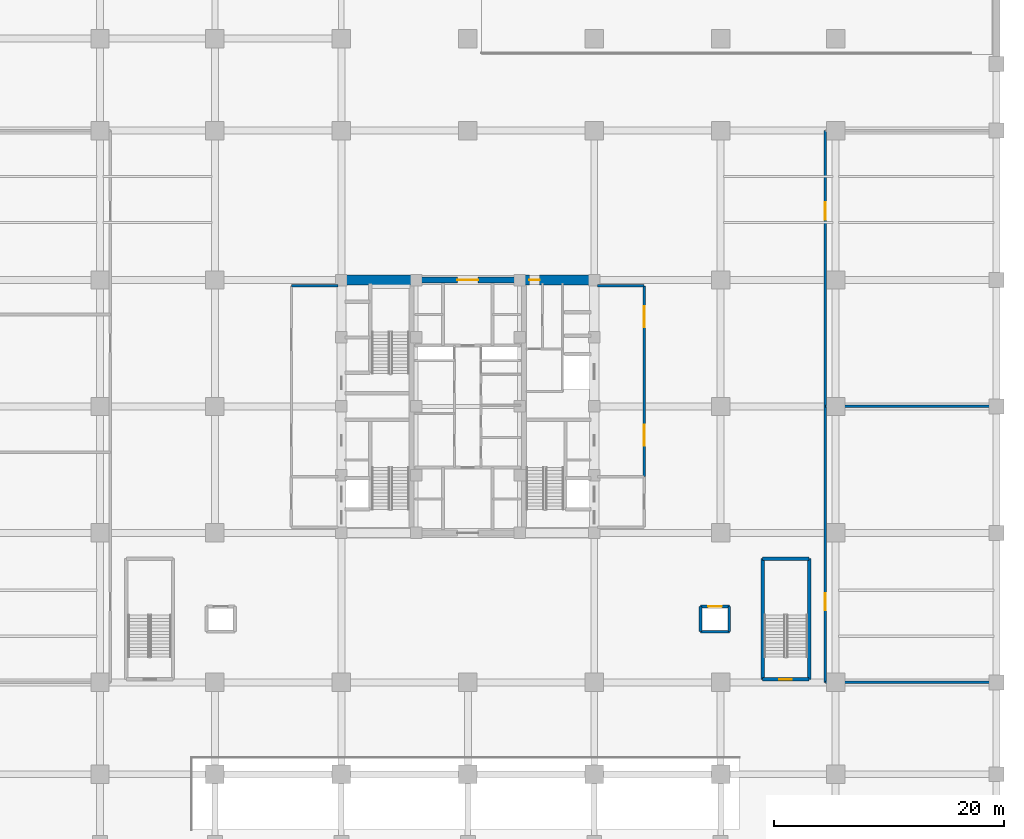
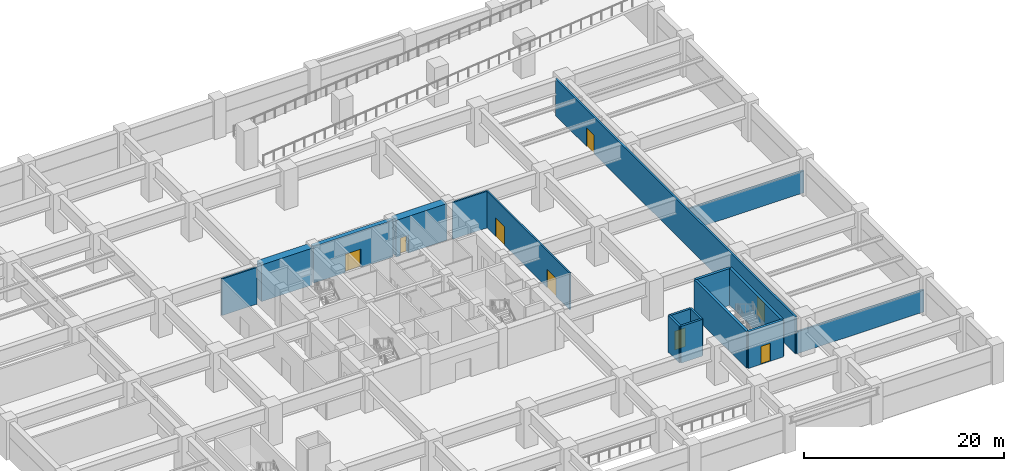
# One storey, part 7 of 13: 17 walls, 8 doors, 8 openings.
"""IFC4 building model written with IfcOpenShell, lengths in metres."""

from ifc_helpers import new_model, si_unit, direction, frame, frame_2d, origin, place, context, subcontext, project, spatial, rectangle, extrude, source, transform, mapped, material, layer, layer_set, type_object, element, fill, save


model = new_model("IFC4")

# Units and contexts
model_context = context("Model", 3, precision=1e-05, world=origin(), true_north=direction((0.0, 1.0)))
body_context = subcontext(model_context, "Body", "Model", "MODEL_VIEW")
ifc_project = project(units=[si_unit("LENGTHUNIT", "METRE"), si_unit("AREAUNIT", "SQUARE_METRE"), si_unit("VOLUMEUNIT", "CUBIC_METRE"), si_unit("PLANEANGLEUNIT", "RADIAN"), si_unit("MASSUNIT", "GRAM", prefix="KILO")], contexts=[model_context])

# Site, building, storey
site_placement = place(None, origin())
site = spatial("IfcSite", under=ifc_project, at=site_placement, CompositionType="ELEMENT")
building_placement = place(site_placement, origin())
building = spatial("IfcBuilding", under=site, at=building_placement, Name="Khorayat Bourse Tower", CompositionType="ELEMENT")
storey_placement = place(building_placement, frame((0.0, 0.0, -4.800048828125)))
storey = spatial("IfcBuildingStorey", under=building, at=storey_placement, Name="B01", CompositionType="ELEMENT", Elevation=-4.800048828125)

# Wall
ifc_material_1 = material(Name="Concrete C72/90", Category="concrete")
ifc_layer_1 = layer(ifc_material_1, 0.89990234375)
ifc_layer_set_1 = layer_set([ifc_layer_1], Name="Concrete C72/90")
wall_type_1 = type_object("IfcWallType", Name="WAL-CORE-900", PredefinedType="SHEAR", material=ifc_layer_set_1)
shared_shape_1 = source(origin(), body_context, "Body", "SweptSolid", [
    extrude(rectangle(XDim=5.849853515625, YDim=0.89990234375, at=frame_2d((2.9248046875, 0.0))), origin(), (0.0, 0.0, 1.0), 4.47998046875),
])
wall_1_placement = place(storey_placement, frame((-10.699951171875, 11.0, 0.0), z_axis=(0.0, 0.0, 1.0), x_axis=(1.0, 0.0, 0.0)))
element("IfcWall", 1, at=wall_1_placement, inside=storey, type_object=wall_type_1, Name="B01 Core Shear Wall PIER-WN", PredefinedType="SHEAR", context=body_context, shape_type="MappedRepresentation", body=[
    mapped(shared_shape_1, transform((0.0, 0.0, 0.0), scale=1.0)),
])

# Wall, opening, door
wall_2_placement = place(storey_placement, frame((4.85009765625, 11.0, 0.0), z_axis=(0.0, 0.0, 1.0), x_axis=(1.0, 0.0, 0.0)))
wall_2 = element("IfcWall", 2, at=wall_2_placement, inside=storey, type_object=wall_type_1, Name="B01 Core Shear Wall PIER-EN", PredefinedType="SHEAR", context=body_context, shape_type="MappedRepresentation", body=[
    mapped(shared_shape_1, transform((0.0, 0.0, 0.0), scale=1.0)),
])
shared_shape_2 = source(origin(), body_context, "Body", "SweptSolid", [
    extrude(rectangle(XDim=0.89990234375, YDim=2.14990234375, at=frame_2d((0.449951171875, 1.074951171875))), frame((0.0, 0.4599609375, 0.0), z_axis=(0.0, -1.0, 0.0), x_axis=(1.0, 0.0, 0.0)), (0.0, 0.0, 1.0), 0.919921875),
])
opening_1_placement = place(wall_2_placement, frame((0.5, 0.0, 0.0)))
opening_1 = element("IfcOpeningElement", 3, at=opening_1_placement, cuts=wall_2, Name="Opening DI-06", PredefinedType="OPENING", context=body_context, shape_type="MappedRepresentation", body=[
    mapped(shared_shape_2, transform((0.0, 0.0, 0.0), scale=1.0)),
])
ifc_material_2 = material(Name="Moisture-resistant laminate washroom door")
door_type_1 = type_object("IfcDoorType", Name="DR-INT-WC-900", OperationType="NOTDEFINED", PredefinedType="DOOR", material=ifc_material_2)
shared_shape_3 = source(origin(), body_context, "Body", "SweptSolid", [
    extrude(rectangle(XDim=0.89990234375, YDim=2.14990234375, at=frame_2d((0.449951171875, 1.074951171875))), frame((0.0, 0.02490234375, 0.0), z_axis=(0.0, -1.0, 0.0), x_axis=(1.0, 0.0, 0.0)), (0.0, 0.0, 1.0), 0.050048828125),
])
door_1_placement = place(opening_1_placement, origin())
door_1 = element("IfcDoor", 4, at=door_1_placement, inside=storey, type_object=door_type_1, Name="B01 Core Washroom Lobby Door", OperationType="SINGLE_SWING_LEFT", OverallHeight=2.14990234375, OverallWidth=0.89990234375, PredefinedType="DOOR", context=body_context, shape_type="MappedRepresentation", body=[
    mapped(shared_shape_3, transform((0.0, 0.0, 0.0), scale=1.0)),
])
fill(opening_1, door_1)

ifc_material_3 = material(Name="Concrete C52/65", Category="concrete")
ifc_layer_2 = layer(ifc_material_3, 0.5)
ifc_layer_set_2 = layer_set([ifc_layer_2], Name="Concrete C52/65")
wall_type_2 = type_object("IfcWallType", Name="WAL-CORE-500", PredefinedType="SHEAR", material=ifc_layer_set_2)
shared_shape_4 = source(origin(), body_context, "Body", "SweptSolid", [
    extrude(rectangle(XDim=9.2001953125, YDim=0.5, at=frame_2d((4.60009765625, 0.0))), origin(), (0.0, 0.0, 1.0), 4.47998046875),
])
wall_3_placement = place(storey_placement, frame((-4.60009765625, 11.0, 0.0), z_axis=(0.0, 0.0, 1.0), x_axis=(1.0, 0.0, 0.0)))
wall_3 = element("IfcWall", 5, at=wall_3_placement, inside=storey, type_object=wall_type_2, Name="B01 Core Shear Wall CORE-N", PredefinedType="SHEAR", context=body_context, shape_type="MappedRepresentation", body=[
    mapped(shared_shape_4, transform((0.0, 0.0, 0.0), scale=1.0)),
])
shared_shape_5 = source(origin(), body_context, "Body", "SweptSolid", [
    extrude(rectangle(XDim=1.800048828125, YDim=2.25, at=frame_2d((0.89990234375, 1.125))), frame((0.0, 0.260009765625, 0.0), z_axis=(0.0, -1.0, 0.0), x_axis=(1.0, 0.0, 0.0)), (0.0, 0.0, 1.0), 0.52001953125),
])
opening_2_placement = place(wall_3_placement, frame((3.699951171875, 0.0, 0.0)))
opening_2 = element("IfcOpeningElement", 6, at=opening_2_placement, cuts=wall_3, Name="Opening DI-03", PredefinedType="OPENING", context=body_context, shape_type="MappedRepresentation", body=[
    mapped(shared_shape_5, transform((0.0, 0.0, 0.0), scale=1.0)),
])
ifc_material_4 = material(Name="Fire-rated hardwood vision-panel double leaf", Category="wood")
door_type_2 = type_object("IfcDoorType", Name="DR-INT-CORR-1800", OperationType="NOTDEFINED", PredefinedType="DOOR", material=ifc_material_4)
shared_shape_6 = source(origin(), body_context, "Body", "SweptSolid", [
    extrude(rectangle(XDim=1.800048828125, YDim=2.25, at=frame_2d((0.89990234375, 1.125))), frame((0.0, 0.02490234375, 0.0), z_axis=(0.0, -1.0, 0.0), x_axis=(1.0, 0.0, 0.0)), (0.0, 0.0, 1.0), 0.050048828125),
])
door_2_placement = place(opening_2_placement, origin())
door_2 = element("IfcDoor", 7, at=door_2_placement, inside=storey, type_object=door_type_2, Name="B01 Mid-Rise Lift Lobby Door", OperationType="SINGLE_SWING_RIGHT", OverallHeight=2.25, OverallWidth=1.800048828125, PredefinedType="DOOR", context=body_context, shape_type="MappedRepresentation", body=[
    mapped(shared_shape_6, transform((0.0, 0.0, 0.0), scale=1.0)),
])
fill(opening_2, door_2)

# Walls
ifc_material_5 = material(Name="Gypsum plasterboard acoustic stud wall")
ifc_layer_3 = layer(ifc_material_5, 0.179931640625)
ifc_layer_set_3 = layer_set([ifc_layer_3], Name="Gypsum plasterboard acoustic stud wall")
wall_type_3 = type_object("IfcWallType", Name="WAL-PART-CORR-180", PredefinedType="PARTITIONING", material=ifc_layer_set_3)
shared_shape_7 = source(origin(), body_context, "Body", "SweptSolid", [
    extrude(rectangle(XDim=4.050048828125, YDim=0.179931640625, at=frame_2d((2.02490234375, 0.0))), origin(), (0.0, 0.0, 1.0), 4.47998046875),
])
for number, where, z_axis, x_axis, name in (
    (8, (-15.35009765625, 10.5, 0.0), (0.0, 0.0, 1.0), (1.0, 0.0, 0.0), "B01 Partition WAL-B01-WLOB-N"),
    (9, (11.300048828125, 10.5, 0.0), (0.0, 0.0, 1.0), (1.0, 0.0, 0.0), "B01 Partition WAL-B01-ELOB-N"),
):
    element("IfcWall", number, at=place(storey_placement, frame(where, z_axis=z_axis, x_axis=x_axis)), inside=storey, type_object=wall_type_3, Name=name, PredefinedType="PARTITIONING", context=body_context, shape_type="MappedRepresentation", body=[
        mapped(shared_shape_7, transform((0.0, 0.0, 0.0), scale=1.0)),
    ])

# Wall, openings, doors
shared_shape_8 = source(origin(), body_context, "Body", "SweptSolid", [
    extrude(rectangle(XDim=16.60009765625, YDim=0.179931640625, at=frame_2d((8.300048828125, 0.0))), origin(), (0.0, 0.0, 1.0), 4.47998046875),
])
wall_4_placement = place(storey_placement, frame((15.35009765625, -6.10009765625, 0.0), z_axis=(0.0, 0.0, 1.0), x_axis=(0.0, 1.0, 0.0)))
wall_4 = element("IfcWall", 10, at=wall_4_placement, inside=storey, type_object=wall_type_3, Name="B01 Partition WAL-B01-ELOB-E", PredefinedType="PARTITIONING", context=body_context, shape_type="MappedRepresentation", body=[
    mapped(shared_shape_8, transform((0.0, 0.0, 0.0), scale=1.0)),
])
shared_shape_9 = source(origin(), body_context, "Body", "SweptSolid", [
    extrude(rectangle(XDim=1.800048828125, YDim=2.25, at=frame_2d((0.89990234375, 1.125))), frame((0.0, 0.099853515625, 0.0), z_axis=(0.0, -1.0, 0.0), x_axis=(1.0, 0.0, 0.0)), (0.0, 0.0, 1.0), 0.199951171875),
])
opening_3_placement = place(wall_4_placement, frame((2.699951171875, 0.0, 0.0)))
opening_3 = element("IfcOpeningElement", 11, at=opening_3_placement, cuts=wall_4, Name="Opening DI-03", PredefinedType="OPENING", context=body_context, shape_type="MappedRepresentation", body=[
    mapped(shared_shape_9, transform((0.0, 0.0, 0.0), scale=1.0)),
])
opening_4_placement = place(wall_4_placement, frame((13.0, 0.0, 0.0)))
opening_4 = element("IfcOpeningElement", 12, at=opening_4_placement, cuts=wall_4, Name="Opening DI-03", PredefinedType="OPENING", context=body_context, shape_type="MappedRepresentation", body=[
    mapped(shared_shape_9, transform((0.0, 0.0, 0.0), scale=1.0)),
])
door_3_placement = place(opening_3_placement, origin())
door_3 = element("IfcDoor", 13, at=door_3_placement, inside=storey, type_object=door_type_2, Name="B01 East Core Lobby South Door", OperationType="SINGLE_SWING_RIGHT", OverallHeight=2.25, OverallWidth=1.800048828125, PredefinedType="DOOR", context=body_context, shape_type="MappedRepresentation", body=[
    mapped(shared_shape_6, transform((0.0, 0.0, 0.0), scale=1.0)),
])
fill(opening_3, door_3)
door_4_placement = place(opening_4_placement, origin())
door_4 = element("IfcDoor", 14, at=door_4_placement, inside=storey, type_object=door_type_2, Name="B01 East Core Lobby North Door", OperationType="SINGLE_SWING_LEFT", OverallHeight=2.25, OverallWidth=1.800048828125, PredefinedType="DOOR", context=body_context, shape_type="MappedRepresentation", body=[
    mapped(shared_shape_6, transform((0.0, 0.0, 0.0), scale=1.0)),
])
fill(opening_4, door_4)

# Wall, opening, door
ifc_material_6 = material(Name="Concrete C50/60", Category="concrete")
ifc_layer_4 = layer(ifc_material_6, 0.300048828125)
ifc_layer_set_4 = layer_set([ifc_layer_4], Name="Concrete C50/60")
wall_type_4 = type_object("IfcWallType", Name="WAL-SHAFT-300", PredefinedType="SHEAR", material=ifc_layer_set_4)
shared_shape_10 = source(origin(), body_context, "Body", "SweptSolid", [
    extrude(rectangle(XDim=4.050048828125, YDim=0.300048828125, at=frame_2d((2.02490234375, 0.0))), origin(), (0.0, 0.0, 1.0), 4.47998046875),
])
wall_5_placement = place(storey_placement, frame((25.64990234375, -23.75, 0.0), z_axis=(0.0, 0.0, 1.0), x_axis=(1.0, 0.0, 0.0)))
wall_5 = element("IfcWall", 15, at=wall_5_placement, inside=storey, type_object=wall_type_4, Name="B01 Partition WAL-B01-STP2-S", PredefinedType="SHEAR", context=body_context, shape_type="MappedRepresentation", body=[
    mapped(shared_shape_10, transform((0.0, 0.0, 0.0), scale=1.0)),
])
shared_shape_11 = source(origin(), body_context, "Body", "SweptSolid", [
    extrude(rectangle(XDim=1.10009765625, YDim=2.199951171875, at=frame_2d((0.550048828125, 1.10009765625))), frame((0.0, 0.159912109375, 0.0), z_axis=(0.0, -1.0, 0.0), x_axis=(1.0, 0.0, 0.0)), (0.0, 0.0, 1.0), 0.320068359375),
])
opening_5_placement = place(wall_5_placement, frame((1.449951171875, 0.0, 0.0)))
opening_5 = element("IfcOpeningElement", 16, at=opening_5_placement, cuts=wall_5, Name="Opening DI-01", PredefinedType="OPENING", context=body_context, shape_type="MappedRepresentation", body=[
    mapped(shared_shape_11, transform((0.0, 0.0, 0.0), scale=1.0)),
])
ifc_material_7 = material(Name="Fire-rated steel acoustic leaf", Category="steel")
door_type_3 = type_object("IfcDoorType", Name="DR-INT-STAIR-1100", OperationType="NOTDEFINED", PredefinedType="DOOR", material=ifc_material_7)
shared_shape_12 = source(origin(), body_context, "Body", "SweptSolid", [
    extrude(rectangle(XDim=1.10009765625, YDim=2.199951171875, at=frame_2d((0.550048828125, 1.10009765625))), frame((0.0, 0.02490234375, 0.0), z_axis=(0.0, -1.0, 0.0), x_axis=(1.0, 0.0, 0.0)), (0.0, 0.0, 1.0), 0.050048828125),
])
door_5_placement = place(opening_5_placement, origin())
door_5 = element("IfcDoor", 17, at=door_5_placement, inside=storey, type_object=door_type_3, Name="B01 Podium Stair P2 Door", OperationType="SINGLE_SWING_LEFT", OverallHeight=2.199951171875, OverallWidth=1.10009765625, PredefinedType="DOOR", context=body_context, shape_type="MappedRepresentation", body=[
    mapped(shared_shape_12, transform((0.0, 0.0, 0.0), scale=1.0)),
])
fill(opening_5, door_5)

# Walls
wall_6_placement = place(storey_placement, frame((25.64990234375, -13.25, 0.0), z_axis=(0.0, 0.0, 1.0), x_axis=(1.0, 0.0, 0.0)))
element("IfcWall", 18, at=wall_6_placement, inside=storey, type_object=wall_type_4, Name="B01 Partition WAL-B01-STP2-N", PredefinedType="SHEAR", context=body_context, shape_type="MappedRepresentation", body=[
    mapped(shared_shape_10, transform((0.0, 0.0, 0.0), scale=1.0)),
])
shared_shape_13 = source(origin(), body_context, "Body", "SweptSolid", [
    extrude(rectangle(XDim=10.5, YDim=0.300048828125, at=frame_2d((5.25, 0.0))), origin(), (0.0, 0.0, 1.0), 4.47998046875),
])
for number, where, z_axis, x_axis, name in (
    (19, (25.64990234375, -23.75, 0.0), (0.0, 0.0, 1.0), (0.0, 1.0, 0.0), "B01 Partition WAL-B01-STP2-W"),
    (20, (29.699951171875, -23.75, 0.0), (0.0, 0.0, 1.0), (0.0, 1.0, 0.0), "B01 Partition WAL-B01-STP2-E"),
):
    element("IfcWall", number, at=place(storey_placement, frame(where, z_axis=z_axis, x_axis=x_axis)), inside=storey, type_object=wall_type_4, Name=name, PredefinedType="SHEAR", context=body_context, shape_type="MappedRepresentation", body=[
        mapped(shared_shape_13, transform((0.0, 0.0, 0.0), scale=1.0)),
    ])
shared_shape_14 = source(origin(), body_context, "Body", "SweptSolid", [
    extrude(rectangle(XDim=2.5, YDim=0.25, at=frame_2d((1.25, 0.0))), origin(), (0.0, 0.0, 1.0), 4.47998046875),
])
wall_7_placement = place(storey_placement, frame((20.25, -19.60009765625, 0.0), z_axis=(0.0, 0.0, 1.0), x_axis=(1.0, 0.0, 0.0)))
element("IfcWall", 21, at=wall_7_placement, inside=storey, type_object=wall_type_4, Name="B01 Partition WAL-B01-PLP2-S", PredefinedType="SHEAR", context=body_context, shape_type="MappedRepresentation", body=[
    mapped(shared_shape_14, transform((0.0, 0.0, 0.0), scale=1.0)),
])

# Wall, opening, door
wall_8_placement = place(storey_placement, frame((20.25, -17.39990234375, 0.0), z_axis=(0.0, 0.0, 1.0), x_axis=(1.0, 0.0, 0.0)))
wall_8 = element("IfcWall", 22, at=wall_8_placement, inside=storey, type_object=wall_type_4, Name="B01 Partition WAL-B01-PLP2-N", PredefinedType="SHEAR", context=body_context, shape_type="MappedRepresentation", body=[
    mapped(shared_shape_14, transform((0.0, 0.0, 0.0), scale=1.0)),
])
shared_shape_15 = source(origin(), body_context, "Body", "SweptSolid", [
    extrude(rectangle(XDim=1.199951171875, YDim=2.300048828125, at=frame_2d((0.60009765625, 1.14990234375))), frame((0.0, 0.135009765625, 0.0), z_axis=(0.0, -1.0, 0.0), x_axis=(1.0, 0.0, 0.0)), (0.0, 0.0, 1.0), 0.27001953125),
])
opening_6_placement = place(wall_8_placement, frame((0.64990234375, 0.0, 0.0)))
opening_6 = element("IfcOpeningElement", 23, at=opening_6_placement, cuts=wall_8, Name="Opening LD-01", PredefinedType="OPENING", context=body_context, shape_type="MappedRepresentation", body=[
    mapped(shared_shape_15, transform((0.0, 0.0, 0.0), scale=1.0)),
])
ifc_material_8 = material(Name="Brushed bronze stainless-steel sliding door", Category="steel")
door_type_4 = type_object("IfcDoorType", Name="DR-LIFT-PASS-1200", OperationType="NOTDEFINED", PredefinedType="DOOR", material=ifc_material_8)
shared_shape_16 = source(origin(), body_context, "Body", "SweptSolid", [
    extrude(rectangle(XDim=1.199951171875, YDim=2.300048828125, at=frame_2d((0.60009765625, 1.14990234375))), frame((0.0, 0.02490234375, 0.0), z_axis=(0.0, -1.0, 0.0), x_axis=(1.0, 0.0, 0.0)), (0.0, 0.0, 1.0), 0.050048828125),
])
door_6_placement = place(opening_6_placement, origin())
door_6 = element("IfcDoor", 24, at=door_6_placement, inside=storey, type_object=door_type_4, Name="B01 Lift PL-P2 Sliding Landing Door", OperationType="SLIDING_TO_LEFT", OverallHeight=2.300048828125, OverallWidth=1.199951171875, PredefinedType="DOOR", context=body_context, shape_type="MappedRepresentation", body=[
    mapped(shared_shape_16, transform((0.0, 0.0, 0.0), scale=1.0)),
])
fill(opening_6, door_6)

# Walls
shared_shape_17 = source(origin(), body_context, "Body", "SweptSolid", [
    extrude(rectangle(XDim=2.2001953125, YDim=0.25, at=frame_2d((1.10009765625, 0.0))), origin(), (0.0, 0.0, 1.0), 4.47998046875),
])
for number, where, z_axis, x_axis, name in (
    (25, (20.25, -19.60009765625, 0.0), (0.0, 0.0, 1.0), (0.0, 1.0, 0.0), "B01 Partition WAL-B01-PLP2-W"),
    (26, (22.75, -19.60009765625, 0.0), (0.0, 0.0, 1.0), (0.0, 1.0, 0.0), "B01 Partition WAL-B01-PLP2-E"),
):
    element("IfcWall", number, at=place(storey_placement, frame(where, z_axis=z_axis, x_axis=x_axis)), inside=storey, type_object=wall_type_4, Name=name, PredefinedType="SHEAR", context=body_context, shape_type="MappedRepresentation", body=[
        mapped(shared_shape_17, transform((0.0, 0.0, 0.0), scale=1.0)),
    ])

# Wall, openings, doors
ifc_material_9 = material(Name="Aerated concrete blockwork", Category="masonry")
ifc_layer_5 = layer(ifc_material_9, 0.219970703125)
ifc_layer_set_5 = layer_set([ifc_layer_5], Name="Aerated concrete blockwork")
wall_type_5 = type_object("IfcWallType", Name="WAL-PART-FF-220", PredefinedType="PARTITIONING", material=ifc_layer_set_5)
shared_shape_18 = source(origin(), body_context, "Body", "SweptSolid", [
    extrude(rectangle(XDim=48.0, YDim=0.219970703125, at=frame_2d((24.0, 0.0))), origin(), (0.0, 0.0, 1.0), 4.47998046875),
])
wall_9_placement = place(storey_placement, frame((31.10009765625, -24.0, 0.0), z_axis=(0.0, 0.0, 1.0), x_axis=(0.0, 1.0, 0.0)))
wall_9 = element("IfcWall", 27, at=wall_9_placement, inside=storey, type_object=wall_type_5, Name="B01 Partition WAL-B01-BE-W", PredefinedType="PARTITIONING", context=body_context, shape_type="MappedRepresentation", body=[
    mapped(shared_shape_18, transform((0.0, 0.0, 0.0), scale=1.0)),
])
shared_shape_19 = source(origin(), body_context, "Body", "SweptSolid", [
    extrude(rectangle(XDim=1.5, YDim=2.300048828125, at=frame_2d((0.75, 1.14990234375))), frame((0.0, 0.119873046875, 0.0), z_axis=(0.0, -1.0, 0.0), x_axis=(1.0, 0.0, 0.0)), (0.0, 0.0, 1.0), 0.239990234375),
])
opening_7_placement = place(wall_9_placement, frame((6.25, 0.0, 0.0)))
opening_7 = element("IfcOpeningElement", 28, at=opening_7_placement, cuts=wall_9, Name="Opening DI-07", PredefinedType="OPENING", context=body_context, shape_type="MappedRepresentation", body=[
    mapped(shared_shape_19, transform((0.0, 0.0, 0.0), scale=1.0)),
])
opening_8_placement = place(wall_9_placement, frame((40.25, 0.0, 0.0)))
opening_8 = element("IfcOpeningElement", 29, at=opening_8_placement, cuts=wall_9, Name="Opening DI-07", PredefinedType="OPENING", context=body_context, shape_type="MappedRepresentation", body=[
    mapped(shared_shape_19, transform((0.0, 0.0, 0.0), scale=1.0)),
])
ifc_material_10 = material(Name="Louvred fire-rated steel plant double door", Category="steel")
door_type_5 = type_object("IfcDoorType", Name="DR-INT-PLANT-1500", OperationType="NOTDEFINED", PredefinedType="DOOR", material=ifc_material_10)
shared_shape_20 = source(origin(), body_context, "Body", "SweptSolid", [
    extrude(rectangle(XDim=1.5, YDim=2.300048828125, at=frame_2d((0.75, 1.14990234375))), frame((0.0, 0.02490234375, 0.0), z_axis=(0.0, -1.0, 0.0), x_axis=(1.0, 0.0, 0.0)), (0.0, 0.0, 1.0), 0.050048828125),
])
door_7_placement = place(opening_7_placement, origin())
door_7 = element("IfcDoor", 30, at=door_7_placement, inside=storey, type_object=door_type_5, Name="B01 Central Telecom and Data Plant Room Door", OperationType="SINGLE_SWING_LEFT", OverallHeight=2.300048828125, OverallWidth=1.5, PredefinedType="DOOR", context=body_context, shape_type="MappedRepresentation", body=[
    mapped(shared_shape_20, transform((0.0, 0.0, 0.0), scale=1.0)),
])
fill(opening_7, door_7)
door_8_placement = place(opening_8_placement, origin())
door_8 = element("IfcDoor", 31, at=door_8_placement, inside=storey, type_object=door_type_5, Name="B01 Goods Refuse and Recycling Store Door", OperationType="SINGLE_SWING_RIGHT", OverallHeight=2.300048828125, OverallWidth=1.5, PredefinedType="DOOR", context=body_context, shape_type="MappedRepresentation", body=[
    mapped(shared_shape_20, transform((0.0, 0.0, 0.0), scale=1.0)),
])
fill(opening_8, door_8)

# Walls
shared_shape_21 = source(origin(), body_context, "Body", "SweptSolid", [
    extrude(rectangle(XDim=14.699951171875, YDim=0.219970703125, at=frame_2d((7.35009765625, 0.0))), origin(), (0.0, 0.0, 1.0), 2.679931640625),
])
for number, where, z_axis, x_axis, name in (
    (32, (31.10009765625, 0.0, 0.0), (0.0, 0.0, 1.0), (1.0, 0.0, 0.0), "B01 Partition WAL-B01-BE-DIV-1"),
    (33, (31.10009765625, -24.0, 0.0), (0.0, 0.0, 1.0), (1.0, 0.0, 0.0), "B01 Partition WAL-B01-BE-S"),
):
    element("IfcWall", number, at=place(storey_placement, frame(where, z_axis=z_axis, x_axis=x_axis)), inside=storey, type_object=wall_type_5, Name=name, PredefinedType="PARTITIONING", context=body_context, shape_type="MappedRepresentation", body=[
        mapped(shared_shape_21, transform((0.0, 0.0, 0.0), scale=1.0)),
    ])

save(model, "model.ifc")
